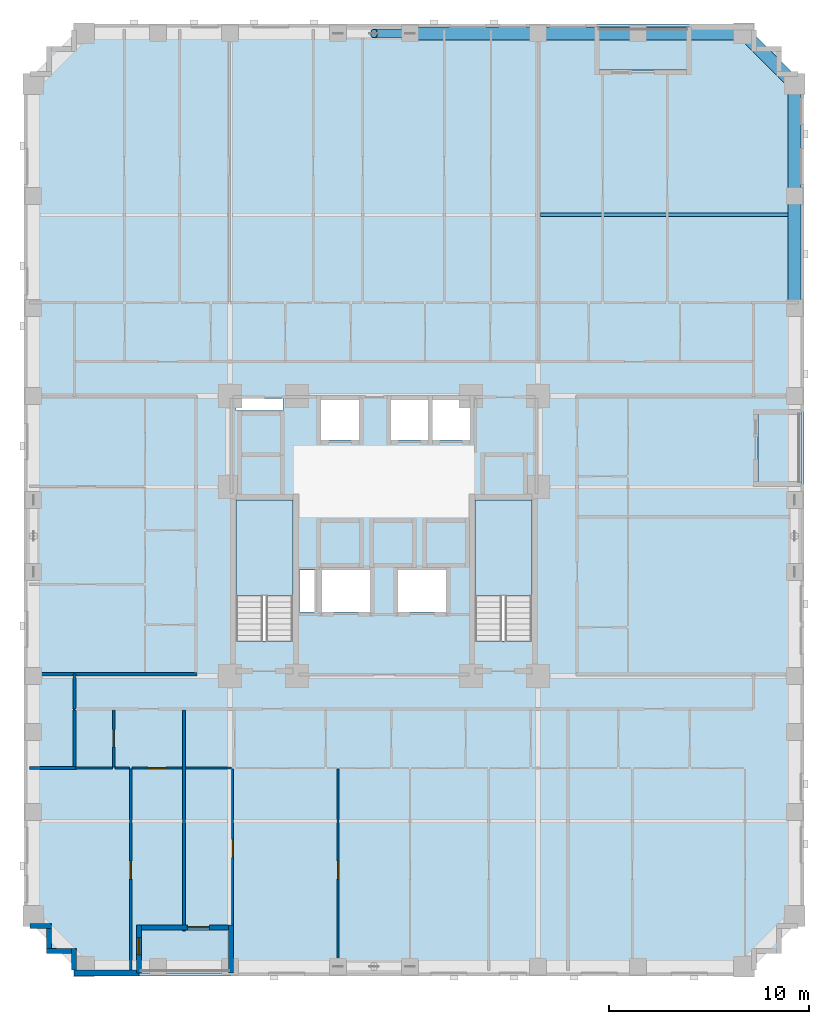
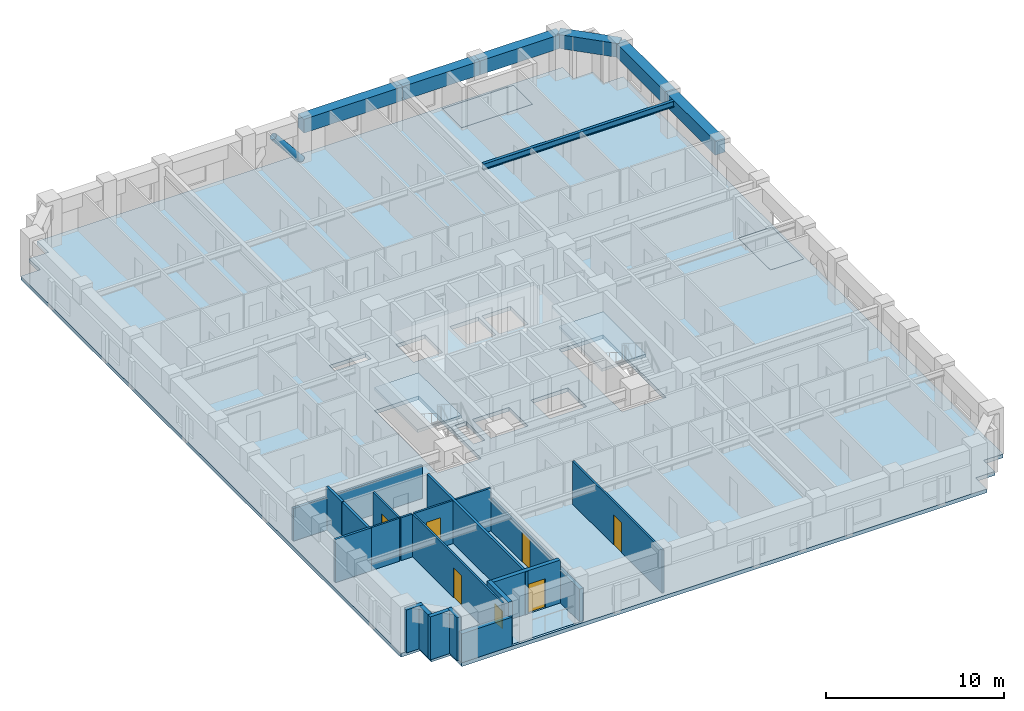
# One storey, part 2 of 14: 21 walls, 7 beams, 6 doors, 6 slabs, 1 member, 1 window, 7 openings, 2 elements without a shape of their own.
"""IFC4 building model written with IfcOpenShell, lengths in metres."""

from ifc_helpers import new_model, si_unit, derived_unit, direction, frame, frame_2d, origin, origin_2d, place, context, subcontext, project, spatial, polyline, rectangle, hollow_circle, i_section, outline, extrude, material, layer, layer_set, material_profile, profile_set, type_object, element, fill, aggregate, save


model = new_model("IFC4")

# Units and contexts
model_context = context("Model", 3, precision=1e-05, world=origin(), true_north=direction((0.0, 1.0)))
body_context = subcontext(model_context, "Body", "Model", "MODEL_VIEW")
ifc_project = project(units=[si_unit("LENGTHUNIT", "METRE"), si_unit("AREAUNIT", "SQUARE_METRE"), si_unit("VOLUMEUNIT", "CUBIC_METRE"), si_unit("PLANEANGLEUNIT", "RADIAN"), si_unit("MASSUNIT", "GRAM", prefix="KILO"), derived_unit("THERMALTRANSMITTANCEUNIT", [(si_unit("MASSUNIT", "GRAM", prefix="KILO"), 1), (si_unit("TIMEUNIT", "SECOND"), -3), (si_unit("THERMODYNAMICTEMPERATUREUNIT", "KELVIN"), -1)])], contexts=[model_context])

# Site, building, storey
site_placement = place(None, origin())
site = spatial("IfcSite", under=ifc_project, at=site_placement, CompositionType="ELEMENT")
building_placement = place(site_placement, origin())
building = spatial("IfcBuilding", under=site, at=building_placement, Name="Korrvale Station Residences", CompositionType="ELEMENT")
storey_placement = place(building_placement, frame((0.0, 0.0, 48.199951171875)))
storey = spatial("IfcBuildingStorey", under=building, at=storey_placement, Name="L12", CompositionType="ELEMENT", Elevation=48.199951171875)

# Beams
ifc_material_1 = material(Name="Steel S355", Category="steel")
ifc_material_profile_1 = material_profile(ifc_material_1, i_section(OverallWidth=0.180908203125, OverallDepth=0.4169921875, WebThickness=0.010986328125, FlangeThickness=0.018310546875, FilletRadius=0.01611328125, at=origin_2d()), Name="W410x85")
ifc_profile_set_1 = profile_set([ifc_material_profile_1], Name="Steel S355")
beam_type_1 = type_object("IfcBeamType", Name="BM-JST-W410x85-S355", PredefinedType="JOIST", material=ifc_profile_set_1)
beam_1_placement = place(storey_placement, frame((33.327880859375, 38.06005859375, 2.7314453125), z_axis=(1.0, 0.0, 0.0), x_axis=(0.0, 1.0, 0.0)))
element("IfcBeam", 1, at=beam_1_placement, inside=storey, type_object=beam_type_1, Name="L12 Floor Framing Joist 06", PredefinedType="JOIST", context=body_context, shape_type="SweptSolid", body=[
    extrude(i_section(OverallWidth=0.180908203125, OverallDepth=0.4169921875, WebThickness=0.010986328125, FlangeThickness=0.018310546875, FilletRadius=0.01611328125, at=origin_2d()), origin(), (0.0, 0.0, 1.0), 12.3671875),
])
ifc_material_2 = material(Name="Concrete C70/85", Category="concrete")
ifc_material_profile_2 = material_profile(ifc_material_2, rectangle(XDim=0.64990234375, YDim=0.949951171875, at=origin_2d()), Name="RCB650x950")
ifc_profile_set_2 = profile_set([ifc_material_profile_2], Name="Concrete C70/85")
beam_type_2 = type_object("IfcBeamType", Name="BM-SPB-RCB650x950-C7085", PredefinedType="SPANDREL", material=ifc_profile_set_2)
beam_2_placement = place(storey_placement, frame((26.800048828125, 47.1201171875, 2.465087890625), z_axis=(1.0, 0.0, 0.0), x_axis=(0.0, 1.0, 0.0)))
element("IfcBeam", 2, at=beam_2_placement, inside=storey, type_object=beam_type_2, Name="L12 North Tube Spandrel 12", PredefinedType="SPANDREL", context=body_context, shape_type="SweptSolid", body=[
    extrude(rectangle(XDim=0.64990234375, YDim=0.949951171875, at=origin_2d()), origin(), (0.0, 0.0, 1.0), 6.39990234375),
])
beam_3_placement = place(storey_placement, frame((33.199951171875, 47.1201171875, 2.465087890625), z_axis=(1.0, 0.0, 0.0), x_axis=(0.0, 1.0, 0.0)))
element("IfcBeam", 3, at=beam_3_placement, inside=storey, type_object=beam_type_2, Name="L12 North Tube Spandrel 13", PredefinedType="SPANDREL", context=body_context, shape_type="SweptSolid", body=[
    extrude(rectangle(XDim=0.64990234375, YDim=0.949951171875, at=origin_2d()), origin(), (0.0, 0.0, 1.0), 5.0),
])
beam_4_placement = place(storey_placement, frame((38.199951171875, 47.1201171875, 2.465087890625), z_axis=(1.0, 0.0, 0.0), x_axis=(0.0, 1.0, 0.0)))
element("IfcBeam", 4, at=beam_4_placement, inside=storey, type_object=beam_type_2, Name="L12 North Tube Spandrel 14", PredefinedType="SPANDREL", context=body_context, shape_type="SweptSolid", body=[
    extrude(rectangle(XDim=0.64990234375, YDim=0.949951171875, at=origin_2d()), origin(), (0.0, 0.0, 1.0), 5.300048828125),
])
for number, where, z_axis, x_axis, name in (
    (5, (46.02001953125, 33.39990234375, 2.465087890625), (0.0, 1.0, 0.0), (-1.0, 0.0, 0.0), "L12 East Tube Spandrel 31"),
    (6, (46.02001953125, 39.0, 2.465087890625), (0.0, 1.0, 0.0), (-1.0, 0.0, 0.0), "L12 East Tube Spandrel 32"),
):
    element("IfcBeam", number, at=place(storey_placement, frame(where, z_axis=z_axis, x_axis=x_axis)), inside=storey, type_object=beam_type_2, Name=name, PredefinedType="SPANDREL", context=body_context, shape_type="SweptSolid", body=[
        extrude(rectangle(XDim=0.64990234375, YDim=0.949951171875, at=origin_2d()), origin(), (0.0, 0.0, 1.0), 5.60009765625),
    ])
beam_5_placement = place(storey_placement, frame((43.5, 47.1201171875, 2.465087890625), z_axis=(0.707106781187, -0.707106781187, 0.0), x_axis=(0.707106781187, 0.707106781187, 0.0)))
element("IfcBeam", 7, at=beam_5_placement, inside=storey, type_object=beam_type_2, Name="L12 Serrated Corner Spandrel 35", PredefinedType="SPANDREL", context=body_context, shape_type="SweptSolid", body=[
    extrude(rectangle(XDim=0.64990234375, YDim=0.949951171875, at=origin_2d()), origin(), (0.0, 0.0, 1.0), 3.56396484375),
])

# Member
ifc_material_profile_3 = material_profile(ifc_material_1, hollow_circle(Radius=0.228515625, WallThickness=0.01904296875, at=origin_2d()), Name="HSS457x19")
ifc_profile_set_3 = profile_set([ifc_material_profile_3], Name="Steel S355")
member_type = type_object("IfcMemberType", Name="MBR-BR-HSS457x19", PredefinedType="BRACE", material=ifc_profile_set_3)
member_placement = place(storey_placement, frame((26.800048828125, 47.1201171875, 0.02001953125), z_axis=(-0.634985494602, 0.0, 0.772524058942), x_axis=(0.0, -1.0, 0.0)))
element("IfcMember", 8, at=member_placement, inside=storey, type_object=member_type, Name="L12 N Perimeter Tube Wind Brace 2", PredefinedType="BRACE", context=body_context, shape_type="SweptSolid", body=[
    extrude(hollow_circle(Radius=0.228515625, WallThickness=0.01904296875, at=origin_2d()), origin(), (0.0, 0.0, 1.0), 2.834716796875),
])

# Slabs
ifc_material_3 = material(Name="Concrete C50/60", Category="concrete")
ifc_layer_1 = layer(ifc_material_3, 0.219970703125, Name="Concrete C50/60")
ifc_layer_set_1 = layer_set([ifc_layer_1], Name="Concrete C50/60")
slab_type_1 = type_object("IfcSlabType", Name="SLB-BAL-220", PredefinedType="FLOOR", material=ifc_layer_set_1)
slab_1_placement = place(storey_placement, frame((0.0, 0.0, -0.219970703125)))
element("IfcSlab", 9, at=slab_1_placement, inside=storey, type_object=slab_type_1, Name="L12 Recessed Loggia Balcony Slab BAL-L12-S1", PredefinedType="FLOOR", context=body_context, shape_type="SweptSolid", body=[
    extrude(outline(polyline([(13.25, 0.14990234375), (17.85009765625, 0.14990234375), (17.85009765625, 2.300048828125), (13.25, 2.300048828125), (13.25, 0.14990234375)])), origin(), (0.0, 0.0, 1.0), 0.219970703125),
])
slab_2_placement = place(storey_placement, frame((0.0, 0.0, -0.219970703125)))
element("IfcSlab", 10, at=slab_2_placement, inside=storey, type_object=slab_type_1, Name="L12 Recessed Loggia Balcony Slab BAL-L12-N1", PredefinedType="FLOOR", context=body_context, shape_type="SweptSolid", body=[
    extrude(outline(polyline([(36.14990234375, 45.300048828125), (40.75, 45.300048828125), (40.75, 47.449951171875), (36.14990234375, 47.449951171875), (36.14990234375, 45.300048828125)])), origin(), (0.0, 0.0, 1.0), 0.219970703125),
])
slab_3_placement = place(storey_placement, frame((0.0, 0.0, -0.219970703125)))
element("IfcSlab", 11, at=slab_3_placement, inside=storey, type_object=slab_type_1, Name="L12 Recessed Loggia Balcony Slab BAL-L12-E1", PredefinedType="FLOOR", context=body_context, shape_type="SweptSolid", body=[
    extrude(outline(polyline([(44.199951171875, 24.60009765625), (46.35009765625, 24.60009765625), (46.35009765625, 28.199951171875), (44.199951171875, 28.199951171875), (44.199951171875, 24.60009765625)])), origin(), (0.0, 0.0, 1.0), 0.219970703125),
])
ifc_layer_2 = layer(ifc_material_3, 0.260009765625, Name="Concrete C50/60")
ifc_layer_set_2 = layer_set([ifc_layer_2], Name="Concrete C50/60")
slab_type_2 = type_object("IfcSlabType", Name="SLB-FLR-260", PredefinedType="FLOOR", material=ifc_layer_set_2)
slab_4_placement = place(storey_placement, frame((0.0, 0.0, -0.260009765625)))
element("IfcSlab", 12, at=slab_4_placement, inside=storey, type_object=slab_type_2, Name="L12 Suspended Structural Floor Slab", PredefinedType="FLOOR", context=body_context, shape_type="SweptSolid", body=[
    extrude(outline(polyline([(10.0, 0.0), (44.0, 0.0), (44.0, 1.25), (45.25, 1.25), (45.25, 2.5), (46.5, 2.5), (46.5, 45.10009765625), (45.25, 45.10009765625), (45.25, 46.35009765625), (44.0, 46.35009765625), (44.0, 47.60009765625), (10.0, 47.60009765625), (10.0, 46.35009765625), (8.75, 46.35009765625), (8.75, 45.10009765625), (7.5, 45.10009765625), (7.5, 2.5), (8.75, 2.5), (8.75, 1.25), (10.0, 1.25), (10.0, 0.0)]), holes=[polyline([(20.949951171875, 16.751953125), (20.949951171875, 23.800048828125), (18.10009765625, 23.800048828125), (18.10009765625, 16.751953125), (20.949951171875, 16.751953125)]), polyline([(32.89990234375, 16.751953125), (32.89990234375, 23.800048828125), (30.050048828125, 23.800048828125), (30.050048828125, 16.751953125), (32.89990234375, 16.751953125)]), polyline([(22.35009765625, 26.800048828125), (24.25, 26.800048828125), (24.25, 28.800048828125), (22.35009765625, 28.800048828125), (22.35009765625, 26.800048828125)]), polyline([(25.85009765625, 26.800048828125), (27.7099609375, 26.800048828125), (27.7099609375, 28.800048828125), (25.85009765625, 28.800048828125), (25.85009765625, 26.800048828125)]), polyline([(27.929931640625, 26.800048828125), (29.7900390625, 26.800048828125), (29.7900390625, 28.800048828125), (27.929931640625, 28.800048828125), (27.929931640625, 26.800048828125)]), polyline([(22.39990234375, 18.199951171875), (24.800048828125, 18.199951171875), (24.800048828125, 20.300048828125), (22.39990234375, 20.300048828125), (22.39990234375, 18.199951171875)]), polyline([(26.199951171875, 18.199951171875), (28.60009765625, 18.199951171875), (28.60009765625, 20.300048828125), (26.199951171875, 20.300048828125), (26.199951171875, 18.199951171875)]), polyline([(18.10009765625, 28.280029296875), (20.449951171875, 28.280029296875), (20.449951171875, 28.8798828125), (18.10009765625, 28.8798828125), (18.10009765625, 28.280029296875)]), polyline([(21.280029296875, 18.199951171875), (22.02001953125, 18.199951171875), (22.02001953125, 20.300048828125), (21.280029296875, 20.300048828125), (21.280029296875, 18.199951171875)]), polyline([(13.25, 0.14990234375), (17.85009765625, 0.14990234375), (17.85009765625, 2.300048828125), (13.25, 2.300048828125), (13.25, 0.14990234375)]), polyline([(36.14990234375, 45.300048828125), (40.75, 45.300048828125), (40.75, 47.449951171875), (36.14990234375, 47.449951171875), (36.14990234375, 45.300048828125)]), polyline([(44.199951171875, 24.60009765625), (46.35009765625, 24.60009765625), (46.35009765625, 28.199951171875), (44.199951171875, 28.199951171875), (44.199951171875, 24.60009765625)])]), origin(), (0.0, 0.0, 1.0), 0.260009765625),
])

# Stair, slab
stair_type = type_object("IfcStairType", Name="STR-DL-1350-18R-1778", PredefinedType="HALF_TURN_STAIR", material=ifc_material_3)
stair_1_placement = place(storey_placement, origin())
stair_1 = element("IfcStair", 13, at=stair_1_placement, inside=storey, type_object=stair_type, Name="L12 Exit Stair 1", PredefinedType="HALF_TURN_STAIR")
ifc_layer_3 = layer(ifc_material_3, 0.199951171875, Name="Concrete C50/60")
ifc_layer_set_3 = layer_set([ifc_layer_3], Name="Concrete C50/60")
slab_type_3 = type_object("IfcSlabType", Name="SLB-LND-200", PredefinedType="LANDING", material=ifc_layer_set_3)
slab_5_placement = place(storey_placement, frame((0.0, 0.0, 1.400146484375)))
slab_5 = element("IfcSlab", 14, at=slab_5_placement, type_object=slab_type_3, Name="ST-1 landing 1", PredefinedType="LANDING", context=body_context, shape_type="SweptSolid", body=[
    extrude(outline(polyline([(20.949951171875, 18.989990234375), (20.949951171875, 23.800048828125), (18.10009765625, 23.800048828125), (18.10009765625, 18.989990234375), (20.949951171875, 18.989990234375)])), origin(), (0.0, 0.0, 1.0), 0.199951171875),
])
aggregate(stair_1, [slab_5])

stair_2_placement = place(storey_placement, origin())
stair_2 = element("IfcStair", 15, at=stair_2_placement, inside=storey, type_object=stair_type, Name="L12 Exit Stair 2", PredefinedType="HALF_TURN_STAIR")
slab_6_placement = place(storey_placement, frame((0.0, 0.0, 1.400146484375)))
slab_6 = element("IfcSlab", 16, at=slab_6_placement, type_object=slab_type_3, Name="ST-2 landing 1", PredefinedType="LANDING", context=body_context, shape_type="SweptSolid", body=[
    extrude(outline(polyline([(32.89990234375, 18.989990234375), (32.89990234375, 23.800048828125), (30.050048828125, 23.800048828125), (30.050048828125, 18.989990234375), (32.89990234375, 18.989990234375)])), origin(), (0.0, 0.0, 1.0), 0.199951171875),
])
aggregate(stair_2, [slab_6])

# Wall
ifc_material_4 = material(Name="Precast concrete C45/55", Category="concrete")
ifc_layer_4 = layer(ifc_material_4, 0.260009765625, Name="Precast concrete C45/55")
ifc_layer_set_4 = layer_set([ifc_layer_4], Name="Precast concrete C45/55")
wall_type_1 = type_object("IfcWallType", Name="WAL-EXT-LOG260", PredefinedType="SOLIDWALL", material=ifc_layer_set_4)
wall_1_placement = place(storey_placement, frame((17.85009765625, 0.159912109375, 0.0), z_axis=(0.0, 0.0, 1.0), x_axis=(0.0, 1.0, 0.0)))
element("IfcWall", 17, at=wall_1_placement, inside=storey, type_object=wall_type_1, Name="L12 Recessed Loggia Wall BAL-L12-S1-L", PredefinedType="SOLIDWALL", context=body_context, shape_type="SweptSolid", body=[
    extrude(rectangle(XDim=2.400146484375, YDim=0.260009765625, at=frame_2d((1.2001953125, 0.0))), origin(), (0.0, 0.0, 1.0), 2.23193359375),
])

# Wall, opening, door
wall_2_placement = place(storey_placement, frame((17.716064453125, 2.429931640625, 0.0), z_axis=(0.0, 0.0, 1.0), x_axis=(-1.0, 0.0, 0.0)))
wall_2 = element("IfcWall", 18, at=wall_2_placement, inside=storey, type_object=wall_type_1, Name="L12 Recessed Loggia Wall BAL-L12-S1-B", PredefinedType="SOLIDWALL", context=body_context, shape_type="SweptSolid", body=[
    extrude(rectangle(XDim=4.33203125, YDim=0.260009765625, at=frame_2d((2.166015625, 0.0))), origin(), (0.0, 0.0, 1.0), 2.93994140625),
])
opening_1_placement = place(wall_2_placement, frame((0.949951171875, 0.0, 0.0)))
opening_1 = element("IfcOpeningElement", 19, at=opening_1_placement, cuts=wall_2, Name="Opening BD-01", PredefinedType="OPENING", context=body_context, shape_type="SweptSolid", body=[
    extrude(rectangle(XDim=1.10009765625, YDim=2.0, at=frame_2d((0.550048828125, 1.0))), frame((0.0, 0.14013671875, 0.0), z_axis=(0.0, -1.0, 0.0), x_axis=(1.0, 0.0, 0.0)), (0.0, 0.0, 1.0), 0.280029296875),
])
ifc_material_5 = material(Name="Exterior thermally broken aluminium glazed balcony door", Category="aluminium")
door_type_1 = type_object("IfcDoorType", Name="DR-EXT-BAL", OperationType="NOTDEFINED", PredefinedType="DOOR", material=ifc_material_5)
door_1_placement = place(opening_1_placement, origin())
door_1 = element("IfcDoor", 20, at=door_1_placement, inside=storey, type_object=door_type_1, Name="L12 Loggia Balcony Door BAL-L12-S1", OperationType="SINGLE_SWING_LEFT", OverallHeight=2.0, OverallWidth=1.10009765625, PredefinedType="DOOR", context=body_context, shape_type="SweptSolid", body=[
    extrude(rectangle(XDim=1.10009765625, YDim=2.0, at=frame_2d((0.550048828125, 1.0))), frame((0.0, 0.02490234375, 0.0), z_axis=(0.0, -1.0, 0.0), x_axis=(1.0, 0.0, 0.0)), (0.0, 0.0, 1.0), 0.050048828125),
])
fill(opening_1, door_1)

# Wall, opening, window
wall_3_placement = place(storey_placement, frame((13.25, 2.56005859375, 0.0), z_axis=(0.0, 0.0, 1.0), x_axis=(0.0, -1.0, 0.0)))
wall_3 = element("IfcWall", 21, at=wall_3_placement, inside=storey, type_object=wall_type_1, Name="L12 Recessed Loggia Wall BAL-L12-S1-R", PredefinedType="SOLIDWALL", context=body_context, shape_type="SweptSolid", body=[
    extrude(rectangle(XDim=2.400146484375, YDim=0.260009765625, at=frame_2d((1.2001953125, 0.0))), origin(), (0.0, 0.0, 1.0), 2.93994140625),
])
opening_2_placement = place(wall_3_placement, frame((0.64501953125, 0.0, 0.550048828125)))
opening_2 = element("IfcOpeningElement", 22, at=opening_2_placement, cuts=wall_3, Name="Opening W-11", PredefinedType="OPENING", context=body_context, shape_type="SweptSolid", body=[
    extrude(rectangle(XDim=0.85009765625, YDim=1.199951171875, at=frame_2d((0.425048828125, 0.60009765625))), frame((0.0, 0.14013671875, 0.0), z_axis=(0.0, -1.0, 0.0), x_axis=(1.0, 0.0, 0.0)), (0.0, 0.0, 1.0), 0.280029296875),
])
ifc_material_6 = material(Name="Thermally broken aluminium frame with triple low-e glazing", Category="aluminium")
window_type = type_object("IfcWindowType", Name="WIN-W11", PartitioningType="SINGLE_PANEL", PredefinedType="WINDOW", material=ifc_material_6)
window_placement = place(opening_2_placement, origin())
window = element("IfcWindow", 23, at=window_placement, inside=storey, type_object=window_type, Name="L12 Punched Window 03", OverallHeight=1.199951171875, OverallWidth=0.85009765625, PartitioningType="SINGLE_PANEL", PredefinedType="WINDOW", context=body_context, shape_type="SweptSolid", body=[
    extrude(rectangle(XDim=0.85009765625, YDim=1.199951171875, at=frame_2d((0.425048828125, 0.60009765625))), frame((0.0, 0.030029296875, 0.0), z_axis=(0.0, -1.0, 0.0), x_axis=(1.0, 0.0, 0.0)), (0.0, 0.0, 1.0), 0.06005859375),
])
fill(opening_2, window)

# Walls
wall_4_placement = place(storey_placement, frame((10.0, 0.302001953125, 0.0), z_axis=(0.0, 0.0, 1.0), x_axis=(0.0, 1.0, 0.0)))
element("IfcWall", 24, at=wall_4_placement, inside=storey, type_object=wall_type_1, Name="L12 Serrated Corner Precast Step SW-1", PredefinedType="SOLIDWALL", context=body_context, shape_type="SweptSolid", body=[
    extrude(rectangle(XDim=1.077880859375, YDim=0.260009765625, at=frame_2d((0.5390625, 0.0))), origin(), (0.0, 0.0, 1.0), 2.93994140625),
])
wall_5_placement = place(storey_placement, frame((9.867919921875, 1.25, 0.0), z_axis=(0.0, 0.0, 1.0), x_axis=(-1.0, 0.0, 0.0)))
element("IfcWall", 25, at=wall_5_placement, inside=storey, type_object=wall_type_1, Name="L12 Serrated Corner Precast Step SW-2", PredefinedType="SOLIDWALL", context=body_context, shape_type="SweptSolid", body=[
    extrude(rectangle(XDim=1.247802734375, YDim=0.260009765625, at=frame_2d((0.6240234375, 0.0))), origin(), (0.0, 0.0, 1.0), 2.93994140625),
])
wall_6_placement = place(storey_placement, frame((8.75, 1.382080078125, 0.0), z_axis=(0.0, 0.0, 1.0), x_axis=(0.0, 1.0, 0.0)))
element("IfcWall", 26, at=wall_6_placement, inside=storey, type_object=wall_type_1, Name="L12 Serrated Corner Precast Step SW-3", PredefinedType="SOLIDWALL", context=body_context, shape_type="SweptSolid", body=[
    extrude(rectangle(XDim=0.98583984375, YDim=0.260009765625, at=frame_2d((0.492919921875, 0.0))), origin(), (0.0, 0.0, 1.0), 2.93994140625),
])
wall_7_placement = place(storey_placement, frame((8.8798828125, 2.5, 0.0), z_axis=(0.0, 0.0, 1.0), x_axis=(-1.0, 0.0, 0.0)))
element("IfcWall", 27, at=wall_7_placement, inside=storey, type_object=wall_type_1, Name="L12 Serrated Corner Precast Step SW-4", PredefinedType="SOLIDWALL", context=body_context, shape_type="SweptSolid", body=[
    extrude(rectangle(XDim=1.077880859375, YDim=0.260009765625, at=frame_2d((0.5390625, 0.0))), origin(), (0.0, 0.0, 1.0), 2.93994140625),
])
ifc_layer_5 = layer(ifc_material_4, 0.300048828125, Name="Precast concrete C45/55")
ifc_layer_set_5 = layer_set([ifc_layer_5], Name="Precast concrete C45/55")
wall_type_2 = type_object("IfcWallType", Name="WAL-EXT-PC300", PredefinedType="SOLIDWALL", material=ifc_layer_set_5)
wall_8_placement = place(storey_placement, frame((13.25, 0.14990234375, 0.0), z_axis=(0.0, 0.0, 1.0), x_axis=(-1.0, 0.0, 0.0)))
element("IfcWall", 28, at=wall_8_placement, inside=storey, type_object=wall_type_2, Name="L12 South Exterior Precast Wall 2", PredefinedType="SOLIDWALL", context=body_context, shape_type="SweptSolid", body=[
    extrude(rectangle(XDim=3.25, YDim=0.300048828125, at=frame_2d((1.625, 0.0))), origin(), (0.0, 0.0, 1.0), 1.97509765625),
])

# Wall, opening, door
ifc_material_7 = material(Name="Acoustic steel-stud gypsum board partition", Category="steel")
ifc_layer_6 = layer(ifc_material_7, 0.1201171875, Name="Acoustic steel-stud gypsum board partition")
ifc_layer_set_6 = layer_set([ifc_layer_6], Name="Acoustic steel-stud gypsum board partition")
wall_type_3 = type_object("IfcWallType", Name="WAL-PART-125", PredefinedType="PARTITIONING", material=ifc_layer_set_6)
wall_9_placement = place(storey_placement, frame((11.989990234375, 10.4599609375, 0.0), z_axis=(0.0, 0.0, 1.0), x_axis=(0.0, 1.0, 0.0)))
wall_9 = element("IfcWall", 29, at=wall_9_placement, inside=storey, type_object=wall_type_3, Name="L12 Suite Partition U01-V01", PredefinedType="PARTITIONING", context=body_context, shape_type="SweptSolid", body=[
    extrude(rectangle(XDim=2.85009765625, YDim=0.1201171875, at=frame_2d((1.425048828125, 0.0))), origin(), (0.0, 0.0, 1.0), 2.93994140625),
])
opening_3_placement = place(wall_9_placement, frame((0.9951171875, 0.0, 0.0)))
opening_3 = element("IfcOpeningElement", 30, at=opening_3_placement, cuts=wall_9, Name="Opening DB-860", PredefinedType="OPENING", context=body_context, shape_type="SweptSolid", body=[
    extrude(rectangle(XDim=0.860107421875, YDim=2.050048828125, at=frame_2d((0.43017578125, 1.02490234375))), frame((0.0, 0.070068359375, 0.0), z_axis=(0.0, -1.0, 0.0), x_axis=(1.0, 0.0, 0.0)), (0.0, 0.0, 1.0), 0.14013671875),
])
ifc_material_8 = material(Name="Moisture-resistant solid-core bathroom door", Category="timber")
door_type_2 = type_object("IfcDoorType", Name="DR-BATH-860", OperationType="NOTDEFINED", PredefinedType="DOOR", material=ifc_material_8)
door_2_placement = place(opening_3_placement, origin())
door_2 = element("IfcDoor", 31, at=door_2_placement, inside=storey, type_object=door_type_2, Name="L12 Studio Apartment L12-U01 Bathroom Door", OperationType="SINGLE_SWING_LEFT", OverallHeight=2.050048828125, OverallWidth=0.860107421875, PredefinedType="DOOR", context=body_context, shape_type="SweptSolid", body=[
    extrude(rectangle(XDim=0.860107421875, YDim=2.050048828125, at=frame_2d((0.43017578125, 1.02490234375))), frame((0.0, 0.02490234375, 0.0), z_axis=(0.0, -1.0, 0.0), x_axis=(1.0, 0.0, 0.0)), (0.0, 0.0, 1.0), 0.050048828125),
])
fill(opening_3, door_2)

# Walls
wall_10_placement = place(storey_placement, frame((10.080078125, 10.39990234375, 0.0), z_axis=(0.0, 0.0, 1.0), x_axis=(1.0, 0.0, 0.0)))
element("IfcWall", 32, at=wall_10_placement, inside=storey, type_object=wall_type_3, Name="L12 Suite Partition U01-H02", PredefinedType="PARTITIONING", context=body_context, shape_type="SweptSolid", body=[
    extrude(rectangle(XDim=1.849853515625, YDim=0.1201171875, at=frame_2d((0.9248046875, 0.0))), origin(), (0.0, 0.0, 1.0), 2.93994140625),
])
wall_11_placement = place(storey_placement, frame((12.050048828125, 10.39990234375, 0.0), z_axis=(0.0, 0.0, 1.0), x_axis=(1.0, 0.0, 0.0)))
element("IfcWall", 33, at=wall_11_placement, inside=storey, type_object=wall_type_3, Name="L12 Suite Partition U01-H12", PredefinedType="PARTITIONING", context=body_context, shape_type="SweptSolid", body=[
    extrude(rectangle(XDim=0.73583984375, YDim=0.1201171875, at=frame_2d((0.367919921875, 0.0))), origin(), (0.0, 0.0, 1.0), 2.93994140625),
])

# Wall, opening, door
wall_12_placement = place(storey_placement, frame((12.906005859375, 10.39990234375, 0.0), z_axis=(0.0, 0.0, 1.0), x_axis=(1.0, 0.0, 0.0)))
wall_12 = element("IfcWall", 34, at=wall_12_placement, inside=storey, type_object=wall_type_3, Name="L12 Suite Partition U01-H13", PredefinedType="PARTITIONING", context=body_context, shape_type="SweptSolid", body=[
    extrude(rectangle(XDim=2.5, YDim=0.1201171875, at=frame_2d((1.25, 0.0))), origin(), (0.0, 0.0, 1.0), 2.93994140625),
])
opening_4_placement = place(wall_12_placement, frame((0.800048828125, 0.0, 0.0)))
opening_4 = element("IfcOpeningElement", 35, at=opening_4_placement, cuts=wall_12, Name="Opening DI-900", PredefinedType="OPENING", context=body_context, shape_type="SweptSolid", body=[
    extrude(rectangle(XDim=0.89990234375, YDim=2.050048828125, at=frame_2d((0.449951171875, 1.02490234375))), frame((0.0, 0.070068359375, 0.0), z_axis=(0.0, -1.0, 0.0), x_axis=(1.0, 0.0, 0.0)), (0.0, 0.0, 1.0), 0.14013671875),
])
ifc_material_9 = material(Name="Painted solid-core timber interior room door", Category="wood")
door_type_3 = type_object("IfcDoorType", Name="DR-INT-900", OperationType="NOTDEFINED", PredefinedType="DOOR", material=ifc_material_9)
door_3_placement = place(opening_4_placement, origin())
door_3 = element("IfcDoor", 36, at=door_3_placement, inside=storey, type_object=door_type_3, Name="L12 Studio Apartment L12-U01 Kitchen Door", OperationType="SINGLE_SWING_RIGHT", OverallHeight=2.050048828125, OverallWidth=0.89990234375, PredefinedType="DOOR", context=body_context, shape_type="SweptSolid", body=[
    extrude(rectangle(XDim=0.89990234375, YDim=2.050048828125, at=frame_2d((0.449951171875, 1.02490234375))), frame((0.0, 0.02490234375, 0.0), z_axis=(0.0, -1.0, 0.0), x_axis=(1.0, 0.0, 0.0)), (0.0, 0.0, 1.0), 0.050048828125),
])
fill(opening_4, door_3)

wall_13_placement = place(storey_placement, frame((12.845947265625, 0.280029296875, 0.0), z_axis=(0.0, 0.0, 1.0), x_axis=(0.0, 1.0, 0.0)))
wall_13 = element("IfcWall", 37, at=wall_13_placement, inside=storey, type_object=wall_type_3, Name="L12 Suite Partition U01-V23", PredefinedType="PARTITIONING", context=body_context, shape_type="SweptSolid", body=[
    extrude(rectangle(XDim=10.06005859375, YDim=0.1201171875, at=frame_2d((5.030029296875, 0.0))), origin(), (0.0, 0.0, 1.0), 2.93994140625),
])
opening_5_placement = place(wall_13_placement, frame((4.56494140625, 0.0, 0.0)))
opening_5 = element("IfcOpeningElement", 38, at=opening_5_placement, cuts=wall_13, Name="Opening DI-900", PredefinedType="OPENING", context=body_context, shape_type="SweptSolid", body=[
    extrude(rectangle(XDim=0.89990234375, YDim=2.050048828125, at=frame_2d((0.449951171875, 1.02490234375))), frame((0.0, 0.070068359375, 0.0), z_axis=(0.0, -1.0, 0.0), x_axis=(1.0, 0.0, 0.0)), (0.0, 0.0, 1.0), 0.14013671875),
])
door_4_placement = place(opening_5_placement, origin())
door_4 = element("IfcDoor", 39, at=door_4_placement, inside=storey, type_object=door_type_3, Name="L12 Studio Apartment L12-U01 Studio Living Room Door", OperationType="SINGLE_SWING_LEFT", OverallHeight=2.050048828125, OverallWidth=0.89990234375, PredefinedType="DOOR", context=body_context, shape_type="SweptSolid", body=[
    extrude(rectangle(XDim=0.89990234375, YDim=2.050048828125, at=frame_2d((0.449951171875, 1.02490234375))), frame((0.0, 0.02490234375, 0.0), z_axis=(0.0, -1.0, 0.0), x_axis=(1.0, 0.0, 0.0)), (0.0, 0.0, 1.0), 0.050048828125),
])
fill(opening_5, door_4)

# Wall
wall_14_placement = place(storey_placement, frame((15.56591796875, 10.39990234375, 0.0), z_axis=(0.0, 0.0, 1.0), x_axis=(1.0, 0.0, 0.0)))
element("IfcWall", 40, at=wall_14_placement, inside=storey, type_object=wall_type_3, Name="L12 Suite Partition U02-H06", PredefinedType="PARTITIONING", context=body_context, shape_type="SweptSolid", body=[
    extrude(rectangle(XDim=2.300048828125, YDim=0.1201171875, at=frame_2d((1.14990234375, 0.0))), origin(), (0.0, 0.0, 1.0), 2.93994140625),
])

# Wall, opening, door
wall_15_placement = place(storey_placement, frame((17.926025390625, 2.429931640625, 0.0), z_axis=(0.0, 0.0, 1.0), x_axis=(0.0, 1.0, 0.0)))
wall_15 = element("IfcWall", 41, at=wall_15_placement, inside=storey, type_object=wall_type_3, Name="L12 Suite Partition U02-V67", PredefinedType="PARTITIONING", context=body_context, shape_type="SweptSolid", body=[
    extrude(rectangle(XDim=7.91015625, YDim=0.1201171875, at=frame_2d((3.955078125, 0.0))), origin(), (0.0, 0.0, 1.0), 2.23193359375),
])
opening_6_placement = place(wall_15_placement, frame((3.5048828125, 0.0, 0.0)))
opening_6 = element("IfcOpeningElement", 42, at=opening_6_placement, cuts=wall_15, Name="Opening DI-900", PredefinedType="OPENING", context=body_context, shape_type="SweptSolid", body=[
    extrude(rectangle(XDim=0.89990234375, YDim=2.050048828125, at=frame_2d((0.449951171875, 1.02490234375))), frame((0.0, 0.070068359375, 0.0), z_axis=(0.0, -1.0, 0.0), x_axis=(1.0, 0.0, 0.0)), (0.0, 0.0, 1.0), 0.14013671875),
])
door_5_placement = place(opening_6_placement, origin())
door_5 = element("IfcDoor", 43, at=door_5_placement, inside=storey, type_object=door_type_3, Name="L12 Apartment 2BR L12-U02 Wardrobe Storage Room Door", OperationType="SINGLE_SWING_RIGHT", OverallHeight=2.050048828125, OverallWidth=0.89990234375, PredefinedType="DOOR", context=body_context, shape_type="SweptSolid", body=[
    extrude(rectangle(XDim=0.89990234375, YDim=2.050048828125, at=frame_2d((0.449951171875, 1.02490234375))), frame((0.0, 0.02490234375, 0.0), z_axis=(0.0, -1.0, 0.0), x_axis=(1.0, 0.0, 0.0)), (0.0, 0.0, 1.0), 0.050048828125),
])
fill(opening_6, door_5)

wall_16_placement = place(storey_placement, frame((23.199951171875, 0.280029296875, 0.0), z_axis=(0.0, 0.0, 1.0), x_axis=(0.0, 1.0, 0.0)))
wall_16 = element("IfcWall", 44, at=wall_16_placement, inside=storey, type_object=wall_type_3, Name="L12 Suite Partition U02-V78", PredefinedType="PARTITIONING", context=body_context, shape_type="SweptSolid", body=[
    extrude(rectangle(XDim=10.06005859375, YDim=0.1201171875, at=frame_2d((5.030029296875, 0.0))), origin(), (0.0, 0.0, 1.0), 2.93994140625),
])
opening_7_placement = place(wall_16_placement, frame((4.56494140625, 0.0, 0.0)))
opening_7 = element("IfcOpeningElement", 45, at=opening_7_placement, cuts=wall_16, Name="Opening DI-900", PredefinedType="OPENING", context=body_context, shape_type="SweptSolid", body=[
    extrude(rectangle(XDim=0.89990234375, YDim=2.050048828125, at=frame_2d((0.449951171875, 1.02490234375))), frame((0.0, 0.070068359375, 0.0), z_axis=(0.0, -1.0, 0.0), x_axis=(1.0, 0.0, 0.0)), (0.0, 0.0, 1.0), 0.14013671875),
])
door_6_placement = place(opening_7_placement, origin())
door_6 = element("IfcDoor", 46, at=door_6_placement, inside=storey, type_object=door_type_3, Name="L12 Apartment 2BR L12-U02 Living and Dining Room Door", OperationType="SINGLE_SWING_LEFT", OverallHeight=2.050048828125, OverallWidth=0.89990234375, PredefinedType="DOOR", context=body_context, shape_type="SweptSolid", body=[
    extrude(rectangle(XDim=0.89990234375, YDim=2.050048828125, at=frame_2d((0.449951171875, 1.02490234375))), frame((0.0, 0.02490234375, 0.0), z_axis=(0.0, -1.0, 0.0), x_axis=(1.0, 0.0, 0.0)), (0.0, 0.0, 1.0), 0.050048828125),
])
fill(opening_7, door_6)

# Walls
ifc_material_10 = material(Name="Fire-rated twin-stud gypsum and mineral wool shaftwall assembly", Category="gypsum")
ifc_layer_7 = layer(ifc_material_10, 0.159912109375, Name="Fire-rated twin-stud gypsum and mineral wool shaftwall assembly")
ifc_layer_set_7 = layer_set([ifc_layer_7], Name="Fire-rated twin-stud gypsum and mineral wool shaftwall assembly")
wall_type_4 = type_object("IfcWallType", Name="WAL-PART-200", PredefinedType="PARTITIONING", material=ifc_layer_set_7)
wall_17_placement = place(storey_placement, frame((10.02001953125, 13.35009765625, 0.0), z_axis=(0.0, 0.0, 1.0), x_axis=(0.0, 1.0, 0.0)))
element("IfcWall", 47, at=wall_17_placement, inside=storey, type_object=wall_type_4, Name="L12 Corridor South West Cap", PredefinedType="PARTITIONING", context=body_context, shape_type="SweptSolid", body=[
    extrude(rectangle(XDim=1.739990234375, YDim=0.159912109375, at=frame_2d((0.8701171875, 0.0))), origin(), (0.0, 0.0, 1.0), 2.93994140625),
])
wall_18_placement = place(storey_placement, frame((7.780029296875, 15.090087890625, 0.0), z_axis=(0.0, 0.0, 1.0), x_axis=(1.0, 0.0, 0.0)))
element("IfcWall", 48, at=wall_18_placement, inside=storey, type_object=wall_type_4, Name="L12 West Wing South Corridor Wall", PredefinedType="PARTITIONING", context=body_context, shape_type="SweptSolid", body=[
    extrude(rectangle(XDim=8.35986328125, YDim=0.159912109375, at=frame_2d((4.179931640625, 0.0))), origin(), (0.0, 0.0, 1.0), 2.23193359375),
])
wall_19_placement = place(storey_placement, frame((7.780029296875, 10.39990234375, 0.0), z_axis=(0.0, 0.0, 1.0), x_axis=(1.0, 0.0, 0.0)))
element("IfcWall", 49, at=wall_19_placement, inside=storey, type_object=wall_type_4, Name="L12 Corner Step Wall U01-L", PredefinedType="PARTITIONING", context=body_context, shape_type="SweptSolid", body=[
    extrude(rectangle(XDim=2.340087890625, YDim=0.159912109375, at=frame_2d((1.169921875, 0.0))), origin(), (0.0, 0.0, 1.0), 2.93994140625),
])
wall_20_placement = place(storey_placement, frame((10.02001953125, 10.39990234375, 0.0), z_axis=(0.0, 0.0, 1.0), x_axis=(0.0, 1.0, 0.0)))
element("IfcWall", 50, at=wall_20_placement, inside=storey, type_object=wall_type_4, Name="L12 Corner Step Cheek U01-L", PredefinedType="PARTITIONING", context=body_context, shape_type="SweptSolid", body=[
    extrude(rectangle(XDim=2.91015625, YDim=0.159912109375, at=frame_2d((1.455078125, 0.0))), origin(), (0.0, 0.0, 1.0), 2.93994140625),
])
wall_21_placement = place(storey_placement, frame((15.506103515625, 2.260009765625, 0.0), z_axis=(0.0, 0.0, 1.0), x_axis=(0.0, 1.0, 0.0)))
element("IfcWall", 51, at=wall_21_placement, inside=storey, type_object=wall_type_4, Name="L12 Demising Wall U02-W", PredefinedType="PARTITIONING", context=body_context, shape_type="SweptSolid", body=[
    extrude(rectangle(XDim=11.050048828125, YDim=0.159912109375, at=frame_2d((5.52490234375, 0.0))), origin(), (0.0, 0.0, 1.0), 2.93994140625),
])

save(model, "model.ifc")
